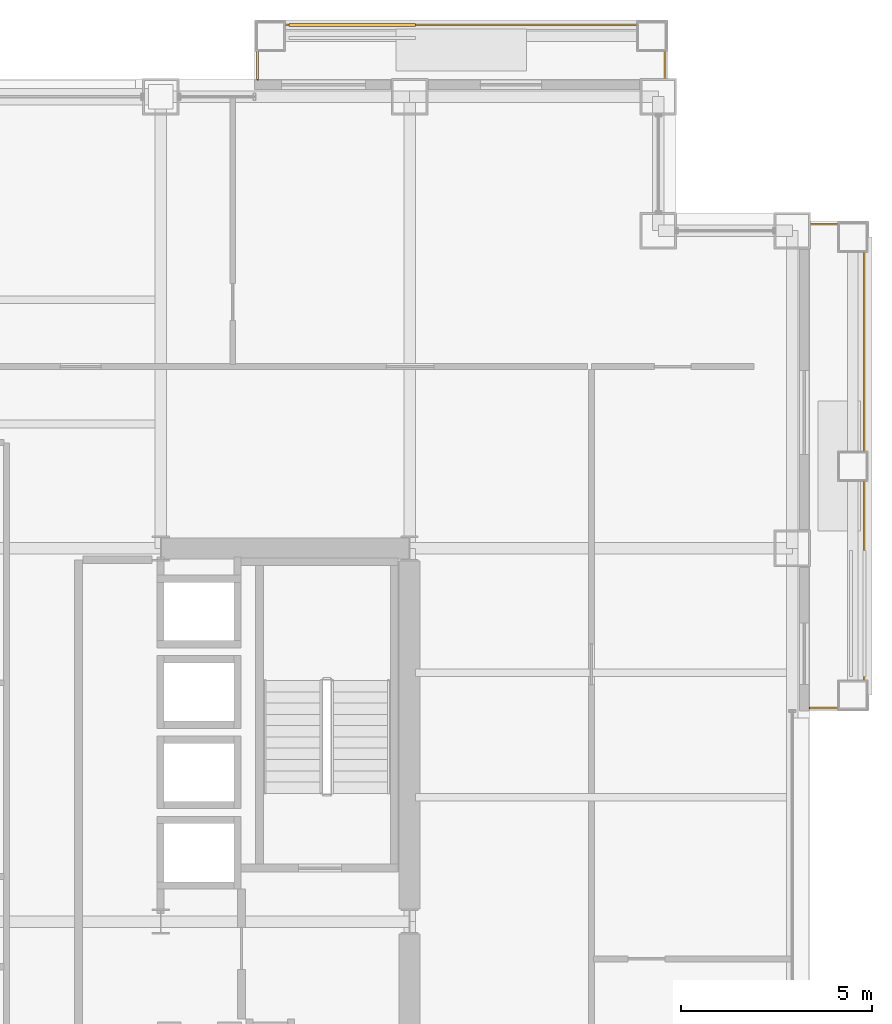
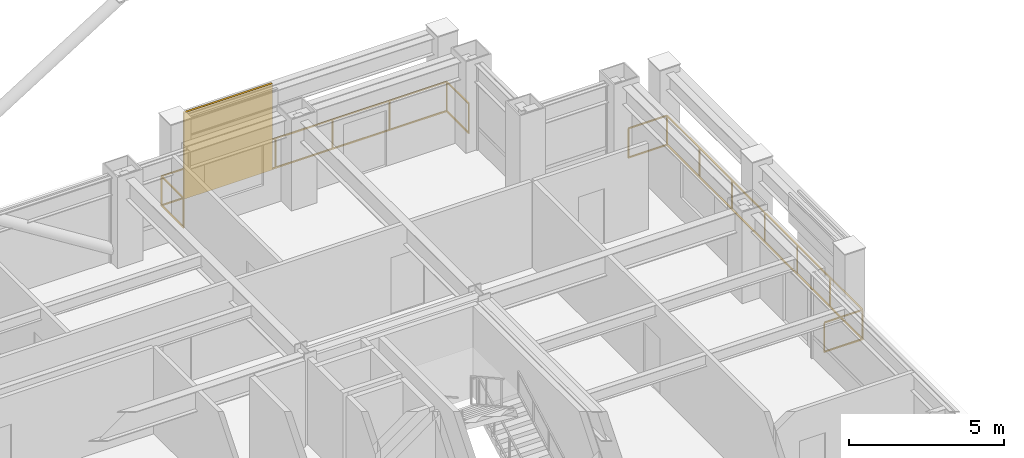
# One storey, part 33 of 34: 2 railings, 1 shading device.
"""IFC4 building model written with IfcOpenShell, lengths in metres."""

from ifc_helpers import new_model, si_unit, direction, frame, origin, origin_2d, place, context, subcontext, project, spatial, rectangle, extrude, material, layer, layer_set, type_object, element, save


model = new_model("IFC4")

# Units and contexts
model_context = context("Model", 3, precision=1e-05, world=origin(), true_north=direction((0.0, 1.0)))
body_context = subcontext(model_context, "Body", "Model", "MODEL_VIEW")
ifc_project = project(units=[si_unit("LENGTHUNIT", "METRE"), si_unit("AREAUNIT", "SQUARE_METRE"), si_unit("VOLUMEUNIT", "CUBIC_METRE"), si_unit("PLANEANGLEUNIT", "RADIAN"), si_unit("MASSUNIT", "GRAM", prefix="KILO")], contexts=[model_context])

# Site, building, storey
site_placement = place(None, origin())
site = spatial("IfcSite", under=ifc_project, at=site_placement, CompositionType="ELEMENT")
building_placement = place(site_placement, origin())
building = spatial("IfcBuilding", under=site, at=building_placement, Name="Brelmoor Portico Tower", CompositionType="ELEMENT")
storey_placement = place(building_placement, frame((0.0, 0.0, 45.60009765625)))
storey = spatial("IfcBuildingStorey", under=building, at=storey_placement, Name="L11", CompositionType="ELEMENT", Elevation=45.60009765625)

# Railings
ifc_material_1 = material(Name="Perforated Pale Champagne Aluminium Fretwork Guard", Category="aluminium")
railing_type = type_object("IfcRailingType", Name="RL-BALUSTRADE-1200", PredefinedType="BALUSTRADE", material=ifc_material_1)
railing_1_placement = place(storey_placement, frame((10.580078125, 22.0, 0.0)))
element("IfcRailing", 1, at=railing_1_placement, inside=storey, type_object=railing_type, Name="L11 Tree Balcony Fretwork Balustrade N", PredefinedType="BALUSTRADE", context=body_context, shape_type="SweptSolid", body=[
    extrude(rectangle(XDim=0.048095703125, YDim=0.048095703125, at=origin_2d()), frame((0.0, 0.0, 1.17578125), z_axis=(0.0, 1.0, 0.0), x_axis=(-1.0, 0.0, 0.0)), (0.0, 0.0, 1.0), 1.429931640625),
    extrude(rectangle(XDim=0.048095703125, YDim=0.048095703125, at=origin_2d()), frame((0.0, 0.0, 0.02392578125), z_axis=(0.0, 1.0, 0.0), x_axis=(-1.0, 0.0, 0.0)), (0.0, 0.0, 1.0), 1.429931640625),
    extrude(rectangle(XDim=0.048095703125, YDim=0.048095703125, at=origin_2d()), frame((0.0, 1.429931640625, 1.17578125), z_axis=(1.0, 0.0, 0.0), x_axis=(0.0, 1.0, 0.0)), (0.0, 0.0, 1.0), 10.639892578125),
    extrude(rectangle(XDim=0.048095703125, YDim=0.048095703125, at=origin_2d()), frame((0.0, 1.429931640625, 0.02392578125), z_axis=(1.0, 0.0, 0.0), x_axis=(0.0, 1.0, 0.0)), (0.0, 0.0, 1.0), 10.639892578125),
    extrude(rectangle(XDim=0.048095703125, YDim=0.048095703125, at=origin_2d()), frame((10.639892578125, 1.429931640625, 1.17578125), z_axis=(0.0, -1.0, 0.0), x_axis=(1.0, 0.0, 0.0)), (0.0, 0.0, 1.0), 1.429931640625),
    extrude(rectangle(XDim=0.048095703125, YDim=0.048095703125, at=origin_2d()), frame((10.639892578125, 1.429931640625, 0.02392578125), z_axis=(0.0, -1.0, 0.0), x_axis=(1.0, 0.0, 0.0)), (0.0, 0.0, 1.0), 1.429931640625),
    extrude(rectangle(XDim=0.0419921875, YDim=0.0419921875, at=origin_2d()), origin(), (0.0, 0.0, 1.0), 1.15185546875),
    extrude(rectangle(XDim=0.0419921875, YDim=0.0419921875, at=origin_2d()), frame((0.0, 1.429931640625, 0.0)), (0.0, 0.0, 1.0), 1.15185546875),
    extrude(rectangle(XDim=0.0419921875, YDim=0.0419921875, at=origin_2d()), frame((2.1279296875, 1.429931640625, 0.0)), (0.0, 0.0, 1.0), 1.15185546875),
    extrude(rectangle(XDim=0.0419921875, YDim=0.0419921875, at=origin_2d()), frame((4.255859375, 1.429931640625, 0.0)), (0.0, 0.0, 1.0), 1.15185546875),
    extrude(rectangle(XDim=0.0419921875, YDim=0.0419921875, at=origin_2d()), frame((6.384033203125, 1.429931640625, 0.0)), (0.0, 0.0, 1.0), 1.15185546875),
    extrude(rectangle(XDim=0.0419921875, YDim=0.0419921875, at=origin_2d()), frame((8.511962890625, 1.429931640625, 0.0)), (0.0, 0.0, 1.0), 1.15185546875),
    extrude(rectangle(XDim=0.0419921875, YDim=0.0419921875, at=origin_2d()), frame((10.639892578125, 1.429931640625, 0.0)), (0.0, 0.0, 1.0), 1.15185546875),
    extrude(rectangle(XDim=0.0419921875, YDim=0.0419921875, at=origin_2d()), frame((10.639892578125, 0.0, 0.0)), (0.0, 0.0, 1.0), 1.15185546875),
])
railing_2_placement = place(storey_placement, frame((25.0, 5.580078125, 0.0)))
element("IfcRailing", 2, at=railing_2_placement, inside=storey, type_object=railing_type, Name="L11 Tree Balcony Fretwork Balustrade E", PredefinedType="BALUSTRADE", context=body_context, shape_type="SweptSolid", body=[
    extrude(rectangle(XDim=0.048095703125, YDim=0.048095703125, at=origin_2d()), frame((0.0, 0.0, 1.17578125), z_axis=(1.0, 0.0, 0.0), x_axis=(0.0, 1.0, 0.0)), (0.0, 0.0, 1.0), 1.429931640625),
    extrude(rectangle(XDim=0.048095703125, YDim=0.048095703125, at=origin_2d()), frame((0.0, 0.0, 0.02392578125), z_axis=(1.0, 0.0, 0.0), x_axis=(0.0, 1.0, 0.0)), (0.0, 0.0, 1.0), 1.429931640625),
    extrude(rectangle(XDim=0.048095703125, YDim=0.048095703125, at=origin_2d()), frame((1.429931640625, 0.0, 1.17578125), z_axis=(0.0, 1.0, 0.0), x_axis=(-1.0, 0.0, 0.0)), (0.0, 0.0, 1.0), 12.639892578125),
    extrude(rectangle(XDim=0.048095703125, YDim=0.048095703125, at=origin_2d()), frame((1.429931640625, 0.0, 0.02392578125), z_axis=(0.0, 1.0, 0.0), x_axis=(-1.0, 0.0, 0.0)), (0.0, 0.0, 1.0), 12.639892578125),
    extrude(rectangle(XDim=0.048095703125, YDim=0.048095703125, at=origin_2d()), frame((1.429931640625, 12.639892578125, 1.17578125), z_axis=(-1.0, 0.0, 0.0), x_axis=(0.0, -1.0, 0.0)), (0.0, 0.0, 1.0), 1.429931640625),
    extrude(rectangle(XDim=0.048095703125, YDim=0.048095703125, at=origin_2d()), frame((1.429931640625, 12.639892578125, 0.02392578125), z_axis=(-1.0, 0.0, 0.0), x_axis=(0.0, -1.0, 0.0)), (0.0, 0.0, 1.0), 1.429931640625),
    extrude(rectangle(XDim=0.0419921875, YDim=0.0419921875, at=origin_2d()), origin(), (0.0, 0.0, 1.0), 1.15185546875),
    extrude(rectangle(XDim=0.0419921875, YDim=0.0419921875, at=origin_2d()), frame((1.429931640625, 0.0, 0.0)), (0.0, 0.0, 1.0), 1.15185546875),
    extrude(rectangle(XDim=0.0419921875, YDim=0.0419921875, at=origin_2d()), frame((1.429931640625, 2.106689453125, 0.0)), (0.0, 0.0, 1.0), 1.15185546875),
    extrude(rectangle(XDim=0.0419921875, YDim=0.0419921875, at=origin_2d()), frame((1.429931640625, 4.21337890625, 0.0)), (0.0, 0.0, 1.0), 1.15185546875),
    extrude(rectangle(XDim=0.0419921875, YDim=0.0419921875, at=origin_2d()), frame((1.429931640625, 6.31982421875, 0.0)), (0.0, 0.0, 1.0), 1.15185546875),
    extrude(rectangle(XDim=0.0419921875, YDim=0.0419921875, at=origin_2d()), frame((1.429931640625, 8.426513671875, 0.0)), (0.0, 0.0, 1.0), 1.15185546875),
    extrude(rectangle(XDim=0.0419921875, YDim=0.0419921875, at=origin_2d()), frame((1.429931640625, 10.533203125, 0.0)), (0.0, 0.0, 1.0), 1.15185546875),
    extrude(rectangle(XDim=0.0419921875, YDim=0.0419921875, at=origin_2d()), frame((1.429931640625, 12.639892578125, 0.0)), (0.0, 0.0, 1.0), 1.15185546875),
    extrude(rectangle(XDim=0.0419921875, YDim=0.0419921875, at=origin_2d()), frame((0.0, 12.639892578125, 0.0)), (0.0, 0.0, 1.0), 1.15185546875),
])

# Shading device
ifc_material_2 = material(Name="Powder-Coated Aluminium Shuttered Jalousie", Category="aluminium")
ifc_layer = layer(ifc_material_2, 0.080078125)
ifc_layer_set = layer_set([ifc_layer], Name="Powder-Coated Aluminium Shuttered Jalousie")
shading_device_type = type_object("IfcShadingDeviceType", Name="SD-JALOUSIE-LOGGIA", PredefinedType="JALOUSIE", material=ifc_layer_set)
shading_device_placement = place(storey_placement, frame((13.050048828125, 23.429931640625, 0.0), z_axis=(0.0, 0.0, 1.0), x_axis=(1.0, 0.0, 0.0)))
element("IfcShadingDevice", 3, at=shading_device_placement, inside=storey, type_object=shading_device_type, Name="L11 Loggia Shuttered Jalousie N", PredefinedType="JALOUSIE", context=body_context, shape_type="SweptSolid", body=[
    extrude(rectangle(XDim=3.300048828125, YDim=0.080078125, at=origin_2d()), origin(), (0.0, 0.0, 1.0), 3.39990234375),
])

save(model, "model.ifc")
